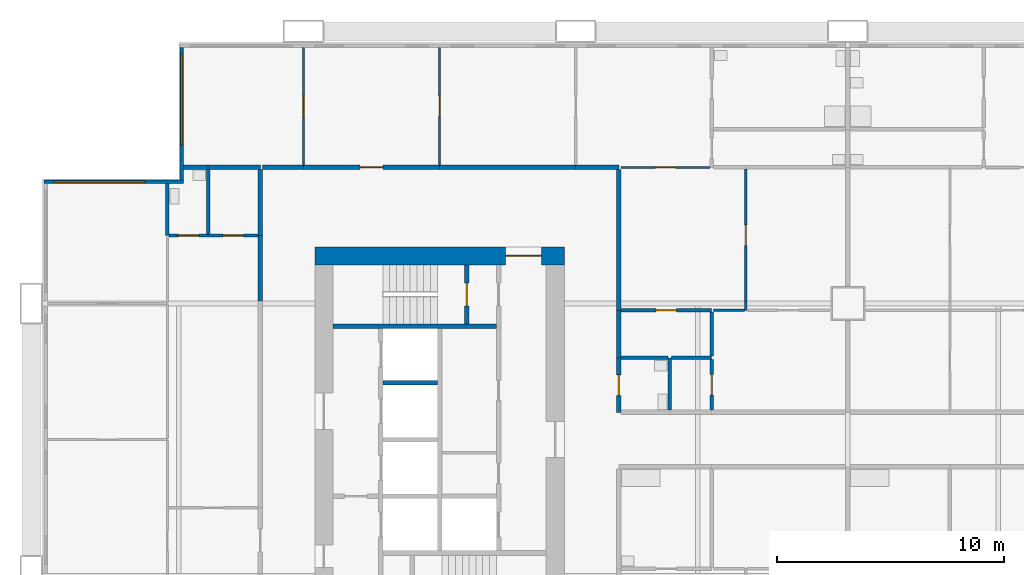
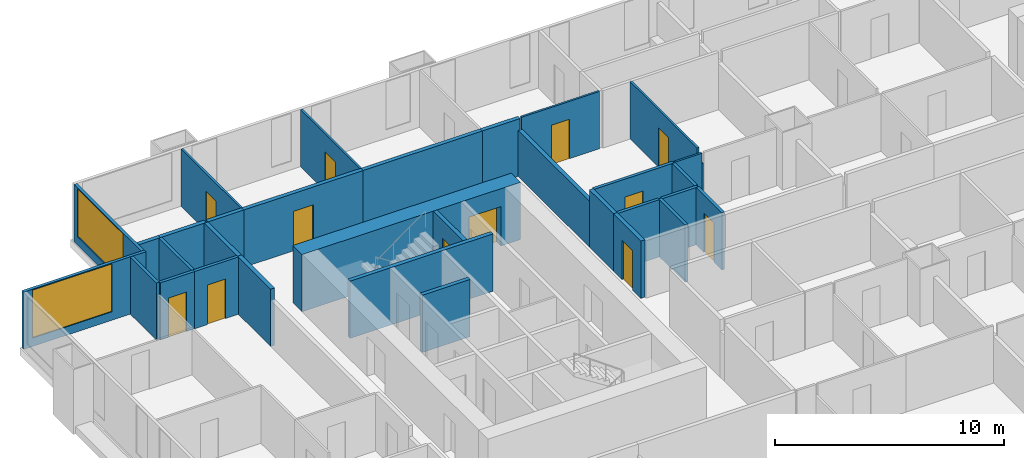
# One storey, part 8 of 14: 33 walls, 12 doors, 2 windows, 14 openings.
"""IFC4 building model written with IfcOpenShell, lengths in metres."""

from ifc_helpers import new_model, si_unit, direction, frame, frame_2d, origin, place, context, subcontext, project, spatial, rectangle, extrude, material, layer, layer_set, type_object, element, fill, save


model = new_model("IFC4")

# Units and contexts
model_context = context("Model", 3, precision=1e-05, world=origin(), true_north=direction((0.0, 1.0)))
body_context = subcontext(model_context, "Body", "Model", "MODEL_VIEW")
ifc_project = project(units=[si_unit("LENGTHUNIT", "METRE"), si_unit("AREAUNIT", "SQUARE_METRE"), si_unit("VOLUMEUNIT", "CUBIC_METRE"), si_unit("PLANEANGLEUNIT", "RADIAN"), si_unit("MASSUNIT", "GRAM", prefix="KILO")], contexts=[model_context])

# Site, building, storey
site_placement = place(None, origin())
site = spatial("IfcSite", under=ifc_project, at=site_placement, CompositionType="ELEMENT")
building_placement = place(site_placement, origin())
building = spatial("IfcBuilding", under=site, at=building_placement, Name="Kitamizu Gate Tower and Museum", CompositionType="ELEMENT")
storey_placement = place(building_placement, frame((0.0, 0.0, 33.449951171875)))
storey = spatial("IfcBuildingStorey", under=building, at=storey_placement, Name="L06", CompositionType="ELEMENT", Elevation=33.449951171875)

# Wall, opening, door
ifc_material_1 = material(Name="Concrete Fc60", Category="concrete")
ifc_layer_1 = layer(ifc_material_1, 0.800048828125)
ifc_layer_set_1 = layer_set([ifc_layer_1], Name="Concrete Fc60")
wall_type_1 = type_object("IfcWallType", Name="Core wall 800", PredefinedType="SHEAR", material=ifc_layer_set_1)
wall_1_placement = place(storey_placement, frame((12.5, 38.10009765625, 0.0), z_axis=(0.0, 0.0, 1.0), x_axis=(1.0, 0.0, 0.0)))
wall_1 = element("IfcWall", 1, at=wall_1_placement, inside=storey, type_object=wall_type_1, Name="Core wall WN", PredefinedType="SHEAR", context=body_context, shape_type="SweptSolid", body=[
    extrude(rectangle(XDim=11.0, YDim=0.800048828125, at=frame_2d((5.5, 0.0))), origin(), (0.0, 0.0, 1.0), 3.050048828125),
])
opening_1_placement = place(wall_1_placement, frame((8.39990234375, 0.0, 0.0)))
opening_1 = element("IfcOpeningElement", 2, at=opening_1_placement, cuts=wall_1, Name="Opening L06-085", PredefinedType="OPENING", context=body_context, shape_type="SweptSolid", body=[
    extrude(rectangle(XDim=1.60009765625, YDim=2.10009765625, at=frame_2d((0.800048828125, 1.050048828125))), frame((0.0, 0.41015625, 0.0), z_axis=(0.0, -1.0, 0.0), x_axis=(1.0, 0.0, 0.0)), (0.0, 0.0, 1.0), 0.820068359375),
])
ifc_material_2 = material(Name="Timber door set", Category="wood")
door_type_1 = type_object("IfcDoorType", Name="Entrance door 1600", OperationType="DOUBLE_DOOR_SINGLE_SWING", PredefinedType="DOOR", material=ifc_material_2)
door_1_placement = place(opening_1_placement, origin())
door_1 = element("IfcDoor", 3, at=door_1_placement, inside=storey, type_object=door_type_1, Name="Lobby door L06-085", OperationType="DOUBLE_DOOR_SINGLE_SWING", OverallHeight=2.10009765625, OverallWidth=1.60009765625, PredefinedType="DOOR", context=body_context, shape_type="SweptSolid", body=[
    extrude(rectangle(XDim=1.60009765625, YDim=2.10009765625, at=frame_2d((0.800048828125, 1.050048828125))), frame((0.0, 0.02490234375, 0.0), z_axis=(0.0, -1.0, 0.0), x_axis=(1.0, 0.0, 0.0)), (0.0, 0.0, 1.0), 0.050048828125),
])
fill(opening_1, door_1)

ifc_material_3 = material(Name="Gypsum board on galvanised stud")
ifc_layer_2 = layer(ifc_material_3, 0.10009765625)
ifc_layer_set_2 = layer_set([ifc_layer_2], Name="Gypsum board on galvanised stud")
wall_type_2 = type_object("IfcWallType", Name="Partition 100 NOT RATED", PredefinedType="PARTITIONING", material=ifc_layer_set_2)
wall_2_placement = place(storey_placement, frame((12.0, 42.10009765625, 0.0), z_axis=(0.0, 0.0, 1.0), x_axis=(0.0, 1.0, 0.0)))
wall_2 = element("IfcWall", 4, at=wall_2_placement, inside=storey, type_object=wall_type_2, Name="Partition L06-146", PredefinedType="PARTITIONING", context=body_context, shape_type="SweptSolid", body=[
    extrude(rectangle(XDim=5.179931640625, YDim=0.10009765625, at=frame_2d((2.58984375, 0.0))), origin(), (0.0, 0.0, 1.0), 3.050048828125),
])
opening_2_placement = place(wall_2_placement, frame((2.139892578125, 0.0, 0.0)))
opening_2 = element("IfcOpeningElement", 5, at=opening_2_placement, cuts=wall_2, Name="Opening L06-058", PredefinedType="OPENING", context=body_context, shape_type="SweptSolid", body=[
    extrude(rectangle(XDim=0.89990234375, YDim=2.10009765625, at=frame_2d((0.449951171875, 1.050048828125))), frame((0.0, 0.06005859375, 0.0), z_axis=(0.0, -1.0, 0.0), x_axis=(1.0, 0.0, 0.0)), (0.0, 0.0, 1.0), 0.1201171875),
])
ifc_material_4 = material(Name="Timber door set", Category="wood")
door_type_2 = type_object("IfcDoorType", Name="Room door 900", OperationType="NOTDEFINED", PredefinedType="DOOR", material=ifc_material_4)
door_2_placement = place(opening_2_placement, origin())
door_2 = element("IfcDoor", 6, at=door_2_placement, inside=storey, type_object=door_type_2, Name="Door L06-058", OperationType="SINGLE_SWING_RIGHT", OverallHeight=2.10009765625, OverallWidth=0.89990234375, PredefinedType="DOOR", context=body_context, shape_type="SweptSolid", body=[
    extrude(rectangle(XDim=0.89990234375, YDim=2.10009765625, at=frame_2d((0.449951171875, 1.050048828125))), frame((0.0, 0.02490234375, 0.0), z_axis=(0.0, -1.0, 0.0), x_axis=(1.0, 0.0, 0.0)), (0.0, 0.0, 1.0), 0.050048828125),
])
fill(opening_2, door_2)

wall_3_placement = place(storey_placement, frame((18.0, 42.10009765625, 0.0), z_axis=(0.0, 0.0, 1.0), x_axis=(0.0, 1.0, 0.0)))
wall_3 = element("IfcWall", 7, at=wall_3_placement, inside=storey, type_object=wall_type_2, Name="Partition L06-148", PredefinedType="PARTITIONING", context=body_context, shape_type="SweptSolid", body=[
    extrude(rectangle(XDim=5.179931640625, YDim=0.10009765625, at=frame_2d((2.58984375, 0.0))), origin(), (0.0, 0.0, 1.0), 3.050048828125),
])
opening_3_placement = place(wall_3_placement, frame((2.139892578125, 0.0, 0.0)))
opening_3 = element("IfcOpeningElement", 8, at=opening_3_placement, cuts=wall_3, Name="Opening L06-057", PredefinedType="OPENING", context=body_context, shape_type="SweptSolid", body=[
    extrude(rectangle(XDim=0.89990234375, YDim=2.10009765625, at=frame_2d((0.449951171875, 1.050048828125))), frame((0.0, 0.06005859375, 0.0), z_axis=(0.0, -1.0, 0.0), x_axis=(1.0, 0.0, 0.0)), (0.0, 0.0, 1.0), 0.1201171875),
])
door_3_placement = place(opening_3_placement, frame((0.89990234375, 0.0, 0.0), x_axis=(-1.0, 0.0, 0.0)))
door_3 = element("IfcDoor", 9, at=door_3_placement, inside=storey, type_object=door_type_2, Name="Door L06-057", OperationType="SINGLE_SWING_RIGHT", OverallHeight=2.10009765625, OverallWidth=0.89990234375, PredefinedType="DOOR", context=body_context, shape_type="SweptSolid", body=[
    extrude(rectangle(XDim=0.89990234375, YDim=2.10009765625, at=frame_2d((0.449951171875, 1.050048828125))), frame((0.0, 0.02490234375, 0.0), z_axis=(0.0, -1.0, 0.0), x_axis=(1.0, 0.0, 0.0)), (0.0, 0.0, 1.0), 0.050048828125),
])
fill(opening_3, door_3)

wall_4_placement = place(storey_placement, frame((26.0, 42.0, 0.0), z_axis=(0.0, 0.0, 1.0), x_axis=(1.0, 0.0, 0.0)))
wall_4 = element("IfcWall", 10, at=wall_4_placement, inside=storey, type_object=wall_type_2, Name="Partition L06-154", PredefinedType="PARTITIONING", context=body_context, shape_type="SweptSolid", body=[
    extrude(rectangle(XDim=3.925048828125, YDim=0.10009765625, at=frame_2d((1.96240234375, 0.0))), origin(), (0.0, 0.0, 1.0), 3.050048828125),
])
opening_4_placement = place(wall_4_placement, frame((1.512451171875, 0.0, 0.0)))
opening_4 = element("IfcOpeningElement", 11, at=opening_4_placement, cuts=wall_4, Name="Opening L06-062", PredefinedType="OPENING", context=body_context, shape_type="SweptSolid", body=[
    extrude(rectangle(XDim=0.89990234375, YDim=2.10009765625, at=frame_2d((0.449951171875, 1.050048828125))), frame((0.0, 0.06005859375, 0.0), z_axis=(0.0, -1.0, 0.0), x_axis=(1.0, 0.0, 0.0)), (0.0, 0.0, 1.0), 0.1201171875),
])
door_4_placement = place(opening_4_placement, origin())
door_4 = element("IfcDoor", 12, at=door_4_placement, inside=storey, type_object=door_type_2, Name="Door L06-062", OperationType="SINGLE_SWING_RIGHT", OverallHeight=2.10009765625, OverallWidth=0.89990234375, PredefinedType="DOOR", context=body_context, shape_type="SweptSolid", body=[
    extrude(rectangle(XDim=0.89990234375, YDim=2.10009765625, at=frame_2d((0.449951171875, 1.050048828125))), frame((0.0, 0.02490234375, 0.0), z_axis=(0.0, -1.0, 0.0), x_axis=(1.0, 0.0, 0.0)), (0.0, 0.0, 1.0), 0.050048828125),
])
fill(opening_4, door_4)

# Wall
wall_5_placement = place(storey_placement, frame((31.5, 35.699951171875, 0.0), z_axis=(0.0, 0.0, 1.0), x_axis=(0.0, 1.0, 0.0)))
element("IfcWall", 13, at=wall_5_placement, inside=storey, type_object=wall_type_2, Name="Partition L06-161", PredefinedType="PARTITIONING", context=body_context, shape_type="SweptSolid", body=[
    extrude(rectangle(XDim=0.400146484375, YDim=0.10009765625, at=frame_2d((0.2001953125, 0.0))), origin(), (0.0, 0.0, 1.0), 2.449951171875),
])

# Wall, opening, door
wall_6_placement = place(storey_placement, frame((31.5, 36.10009765625, 0.0), z_axis=(0.0, 0.0, 1.0), x_axis=(0.0, 1.0, 0.0)))
wall_6 = element("IfcWall", 14, at=wall_6_placement, inside=storey, type_object=wall_type_2, Name="Partition L06-162", PredefinedType="PARTITIONING", context=body_context, shape_type="SweptSolid", body=[
    extrude(rectangle(XDim=5.824951171875, YDim=0.10009765625, at=frame_2d((2.91259765625, 0.0))), origin(), (0.0, 0.0, 1.0), 3.050048828125),
])
opening_5_placement = place(wall_6_placement, frame((2.46240234375, 0.0, 0.0)))
opening_5 = element("IfcOpeningElement", 15, at=opening_5_placement, cuts=wall_6, Name="Opening L06-063", PredefinedType="OPENING", context=body_context, shape_type="SweptSolid", body=[
    extrude(rectangle(XDim=0.89990234375, YDim=2.10009765625, at=frame_2d((0.449951171875, 1.050048828125))), frame((0.0, 0.06005859375, 0.0), z_axis=(0.0, -1.0, 0.0), x_axis=(1.0, 0.0, 0.0)), (0.0, 0.0, 1.0), 0.1201171875),
])
door_5_placement = place(opening_5_placement, frame((0.89990234375, 0.0, 0.0), x_axis=(-1.0, 0.0, 0.0)))
door_5 = element("IfcDoor", 16, at=door_5_placement, inside=storey, type_object=door_type_2, Name="Door L06-063", OperationType="SINGLE_SWING_RIGHT", OverallHeight=2.10009765625, OverallWidth=0.89990234375, PredefinedType="DOOR", context=body_context, shape_type="SweptSolid", body=[
    extrude(rectangle(XDim=0.89990234375, YDim=2.10009765625, at=frame_2d((0.449951171875, 1.050048828125))), frame((0.0, 0.02490234375, 0.0), z_axis=(0.0, -1.0, 0.0), x_axis=(1.0, 0.0, 0.0)), (0.0, 0.0, 1.0), 0.050048828125),
])
fill(opening_5, door_5)

# Walls
wall_7_placement = place(storey_placement, frame((30.074951171875, 35.699951171875, 0.0), z_axis=(0.0, 0.0, 1.0), x_axis=(1.0, 0.0, 0.0)))
element("IfcWall", 17, at=wall_7_placement, inside=storey, type_object=wall_type_2, Name="Partition L06-164", PredefinedType="PARTITIONING", context=body_context, shape_type="SweptSolid", body=[
    extrude(rectangle(XDim=1.375, YDim=0.10009765625, at=frame_2d((0.6875, 0.0))), origin(), (0.0, 0.0, 1.0), 3.050048828125),
])
ifc_material_5 = material(Name="Gypsum board on galvanised stud")
ifc_layer_3 = layer(ifc_material_5, 0.14990234375)
ifc_layer_set_3 = layer_set([ifc_layer_3], Name="Gypsum board on galvanised stud")
wall_type_3 = type_object("IfcWallType", Name="Partition 150", PredefinedType="PARTITIONING", material=ifc_layer_set_3)
wall_8_placement = place(storey_placement, frame((6.0, 39.0, 0.0), z_axis=(0.0, 0.0, 1.0), x_axis=(0.0, 1.0, 0.0)))
element("IfcWall", 18, at=wall_8_placement, inside=storey, type_object=wall_type_3, Name="Partition L06-059", PredefinedType="PARTITIONING", context=body_context, shape_type="SweptSolid", body=[
    extrude(rectangle(XDim=2.280029296875, YDim=0.14990234375, at=frame_2d((1.14013671875, 0.0))), origin(), (0.0, 0.0, 1.0), 3.050048828125),
])

# Wall, opening, door
wall_9_placement = place(storey_placement, frame((7.800048828125, 39.0, 0.0), z_axis=(0.0, 0.0, 1.0), x_axis=(-1.0, 0.0, 0.0)))
wall_9 = element("IfcWall", 19, at=wall_9_placement, inside=storey, type_object=wall_type_3, Name="Partition L06-065", PredefinedType="PARTITIONING", context=body_context, shape_type="SweptSolid", body=[
    extrude(rectangle(XDim=1.72509765625, YDim=0.14990234375, at=frame_2d((0.862548828125, 0.0))), origin(), (0.0, 0.0, 1.0), 3.050048828125),
])
opening_6_placement = place(wall_9_placement, frame((0.41259765625, 0.0, 0.0)))
opening_6 = element("IfcOpeningElement", 20, at=opening_6_placement, cuts=wall_9, Name="Opening L06-025", PredefinedType="OPENING", context=body_context, shape_type="SweptSolid", body=[
    extrude(rectangle(XDim=0.89990234375, YDim=2.10009765625, at=frame_2d((0.449951171875, 1.050048828125))), frame((0.0, 0.0849609375, 0.0), z_axis=(0.0, -1.0, 0.0), x_axis=(1.0, 0.0, 0.0)), (0.0, 0.0, 1.0), 0.169921875),
])
ifc_material_6 = material(Name="Timber door set", Category="wood")
door_type_3 = type_object("IfcDoorType", Name="Bathroom door 900", OperationType="NOTDEFINED", PredefinedType="DOOR", material=ifc_material_6)
door_6_placement = place(opening_6_placement, frame((0.89990234375, 0.0, 0.0), x_axis=(-1.0, 0.0, 0.0)))
door_6 = element("IfcDoor", 21, at=door_6_placement, inside=storey, type_object=door_type_3, Name="Bathroom door L06-025", OperationType="SINGLE_SWING_LEFT", OverallHeight=2.10009765625, OverallWidth=0.89990234375, PredefinedType="DOOR", context=body_context, shape_type="SweptSolid", body=[
    extrude(rectangle(XDim=0.89990234375, YDim=2.10009765625, at=frame_2d((0.449951171875, 1.050048828125))), frame((0.0, 0.02490234375, 0.0), z_axis=(0.0, -1.0, 0.0), x_axis=(1.0, 0.0, 0.0)), (0.0, 0.0, 1.0), 0.050048828125),
])
fill(opening_6, door_6)

wall_10_placement = place(storey_placement, frame((10.0, 39.0, 0.0), z_axis=(0.0, 0.0, 1.0), x_axis=(-1.0, 0.0, 0.0)))
wall_10 = element("IfcWall", 22, at=wall_10_placement, inside=storey, type_object=wall_type_3, Name="Partition L06-066", PredefinedType="PARTITIONING", context=body_context, shape_type="SweptSolid", body=[
    extrude(rectangle(XDim=2.199951171875, YDim=0.14990234375, at=frame_2d((1.10009765625, 0.0))), origin(), (0.0, 0.0, 1.0), 3.050048828125),
])
opening_7_placement = place(wall_10_placement, frame((0.64990234375, 0.0, 0.0)))
opening_7 = element("IfcOpeningElement", 23, at=opening_7_placement, cuts=wall_10, Name="Opening L06-026", PredefinedType="OPENING", context=body_context, shape_type="SweptSolid", body=[
    extrude(rectangle(XDim=0.89990234375, YDim=2.10009765625, at=frame_2d((0.449951171875, 1.050048828125))), frame((0.0, 0.0849609375, 0.0), z_axis=(0.0, -1.0, 0.0), x_axis=(1.0, 0.0, 0.0)), (0.0, 0.0, 1.0), 0.169921875),
])
door_7_placement = place(opening_7_placement, frame((0.89990234375, 0.0, 0.0), x_axis=(-1.0, 0.0, 0.0)))
door_7 = element("IfcDoor", 24, at=door_7_placement, inside=storey, type_object=door_type_3, Name="Bathroom door L06-026", OperationType="SINGLE_SWING_RIGHT", OverallHeight=2.10009765625, OverallWidth=0.89990234375, PredefinedType="DOOR", context=body_context, shape_type="SweptSolid", body=[
    extrude(rectangle(XDim=0.89990234375, YDim=2.10009765625, at=frame_2d((0.449951171875, 1.050048828125))), frame((0.0, 0.02490234375, 0.0), z_axis=(0.0, -1.0, 0.0), x_axis=(1.0, 0.0, 0.0)), (0.0, 0.0, 1.0), 0.050048828125),
])
fill(opening_7, door_7)

# Wall
wall_11_placement = place(storey_placement, frame((7.800048828125, 39.074951171875, 0.0), z_axis=(0.0, 0.0, 1.0), x_axis=(0.0, 1.0, 0.0)))
element("IfcWall", 25, at=wall_11_placement, inside=storey, type_object=wall_type_3, Name="Partition L06-069", PredefinedType="PARTITIONING", context=body_context, shape_type="SweptSolid", body=[
    extrude(rectangle(XDim=2.824951171875, YDim=0.14990234375, at=frame_2d((1.41259765625, 0.0))), origin(), (0.0, 0.0, 1.0), 3.050048828125),
])

# Wall, opening, door
wall_12_placement = place(storey_placement, frame((26.0, 35.699951171875, 0.0), z_axis=(0.0, 0.0, 1.0), x_axis=(1.0, 0.0, 0.0)))
wall_12 = element("IfcWall", 26, at=wall_12_placement, inside=storey, type_object=wall_type_3, Name="Partition L06-163", PredefinedType="PARTITIONING", context=body_context, shape_type="SweptSolid", body=[
    extrude(rectangle(XDim=4.0, YDim=0.14990234375, at=frame_2d((2.0, 0.0))), origin(), (0.0, 0.0, 1.0), 3.050048828125),
])
opening_8_placement = place(wall_12_placement, frame((1.550048828125, 0.0, 0.0)))
opening_8 = element("IfcOpeningElement", 27, at=opening_8_placement, cuts=wall_12, Name="Opening L06-064", PredefinedType="OPENING", context=body_context, shape_type="SweptSolid", body=[
    extrude(rectangle(XDim=0.89990234375, YDim=2.10009765625, at=frame_2d((0.449951171875, 1.050048828125))), frame((0.0, 0.0849609375, 0.0), z_axis=(0.0, -1.0, 0.0), x_axis=(1.0, 0.0, 0.0)), (0.0, 0.0, 1.0), 0.169921875),
])
door_8_placement = place(opening_8_placement, frame((0.89990234375, 0.0, 0.0), x_axis=(-1.0, 0.0, 0.0)))
door_8 = element("IfcDoor", 28, at=door_8_placement, inside=storey, type_object=door_type_3, Name="Bathroom door L06-064", OperationType="SINGLE_SWING_LEFT", OverallHeight=2.10009765625, OverallWidth=0.89990234375, PredefinedType="DOOR", context=body_context, shape_type="SweptSolid", body=[
    extrude(rectangle(XDim=0.89990234375, YDim=2.10009765625, at=frame_2d((0.449951171875, 1.050048828125))), frame((0.0, 0.02490234375, 0.0), z_axis=(0.0, -1.0, 0.0), x_axis=(1.0, 0.0, 0.0)), (0.0, 0.0, 1.0), 0.050048828125),
])
fill(opening_8, door_8)

# Walls
wall_13_placement = place(storey_placement, frame((28.14990234375, 31.300048828125, 0.0), z_axis=(0.0, 0.0, 1.0), x_axis=(0.0, 1.0, 0.0)))
element("IfcWall", 29, at=wall_13_placement, inside=storey, type_object=wall_type_3, Name="Partition L06-168", PredefinedType="PARTITIONING", context=body_context, shape_type="SweptSolid", body=[
    extrude(rectangle(XDim=2.300048828125, YDim=0.14990234375, at=frame_2d((1.14990234375, 0.0))), origin(), (0.0, 0.0, 1.0), 3.050048828125),
])
wall_14_placement = place(storey_placement, frame((28.074951171875, 33.60009765625, 0.0), z_axis=(0.0, 0.0, 1.0), x_axis=(-1.0, 0.0, 0.0)))
element("IfcWall", 30, at=wall_14_placement, inside=storey, type_object=wall_type_3, Name="Partition L06-169", PredefinedType="PARTITIONING", context=body_context, shape_type="SweptSolid", body=[
    extrude(rectangle(XDim=2.074951171875, YDim=0.14990234375, at=frame_2d((1.03759765625, 0.0))), origin(), (0.0, 0.0, 1.0), 3.050048828125),
])
wall_15_placement = place(storey_placement, frame((30.0, 33.60009765625, 0.0), z_axis=(0.0, 0.0, 1.0), x_axis=(-1.0, 0.0, 0.0)))
element("IfcWall", 31, at=wall_15_placement, inside=storey, type_object=wall_type_3, Name="Partition L06-172", PredefinedType="PARTITIONING", context=body_context, shape_type="SweptSolid", body=[
    extrude(rectangle(XDim=1.77490234375, YDim=0.14990234375, at=frame_2d((0.887451171875, 0.0))), origin(), (0.0, 0.0, 1.0), 3.050048828125),
])

# Wall, opening, door
wall_16_placement = place(storey_placement, frame((30.0, 31.300048828125, 0.0), z_axis=(0.0, 0.0, 1.0), x_axis=(0.0, 1.0, 0.0)))
wall_16 = element("IfcWall", 32, at=wall_16_placement, inside=storey, type_object=wall_type_3, Name="Partition L06-173", PredefinedType="PARTITIONING", context=body_context, shape_type="SweptSolid", body=[
    extrude(rectangle(XDim=2.224853515625, YDim=0.14990234375, at=frame_2d((1.1123046875, 0.0))), origin(), (0.0, 0.0, 1.0), 3.050048828125),
])
opening_9_placement = place(wall_16_placement, frame((0.66259765625, 0.0, 0.0)))
opening_9 = element("IfcOpeningElement", 33, at=opening_9_placement, cuts=wall_16, Name="Opening L06-066", PredefinedType="OPENING", context=body_context, shape_type="SweptSolid", body=[
    extrude(rectangle(XDim=0.89990234375, YDim=2.10009765625, at=frame_2d((0.449951171875, 1.050048828125))), frame((0.0, 0.0849609375, 0.0), z_axis=(0.0, -1.0, 0.0), x_axis=(1.0, 0.0, 0.0)), (0.0, 0.0, 1.0), 0.169921875),
])
door_9_placement = place(opening_9_placement, origin())
door_9 = element("IfcDoor", 34, at=door_9_placement, inside=storey, type_object=door_type_3, Name="Bathroom door L06-066", OperationType="SINGLE_SWING_LEFT", OverallHeight=2.10009765625, OverallWidth=0.89990234375, PredefinedType="DOOR", context=body_context, shape_type="SweptSolid", body=[
    extrude(rectangle(XDim=0.89990234375, YDim=2.10009765625, at=frame_2d((0.449951171875, 1.050048828125))), frame((0.0, 0.02490234375, 0.0), z_axis=(0.0, -1.0, 0.0), x_axis=(1.0, 0.0, 0.0)), (0.0, 0.0, 1.0), 0.050048828125),
])
fill(opening_9, door_9)

# Walls
wall_17_placement = place(storey_placement, frame((30.0, 33.675048828125, 0.0), z_axis=(0.0, 0.0, 1.0), x_axis=(0.0, 1.0, 0.0)))
element("IfcWall", 35, at=wall_17_placement, inside=storey, type_object=wall_type_3, Name="Partition L06-175", PredefinedType="PARTITIONING", context=body_context, shape_type="SweptSolid", body=[
    extrude(rectangle(XDim=1.949951171875, YDim=0.14990234375, at=frame_2d((0.97509765625, 0.0))), origin(), (0.0, 0.0, 1.0), 3.050048828125),
])
ifc_material_7 = material(Name="Gypsum board on galvanised stud")
ifc_layer_4 = layer(ifc_material_7, 0.199951171875)
ifc_layer_set_4 = layer_set([ifc_layer_4], Name="Gypsum board on galvanised stud")
wall_type_4 = type_object("IfcWallType", Name="Partition 200", PredefinedType="PARTITIONING", material=ifc_layer_set_4)
wall_18_placement = place(storey_placement, frame((10.10009765625, 36.10009765625, 0.0), z_axis=(0.0, 0.0, 1.0), x_axis=(0.0, 1.0, 0.0)))
element("IfcWall", 36, at=wall_18_placement, inside=storey, type_object=wall_type_4, Name="Partition L06-068", PredefinedType="PARTITIONING", context=body_context, shape_type="SweptSolid", body=[
    extrude(rectangle(XDim=2.89990234375, YDim=0.199951171875, at=frame_2d((1.449951171875, 0.0))), origin(), (0.0, 0.0, 1.0), 3.050048828125),
])
wall_19_placement = place(storey_placement, frame((7.800048828125, 42.0, 0.0), z_axis=(0.0, 0.0, 1.0), x_axis=(-1.0, 0.0, 0.0)))
element("IfcWall", 37, at=wall_19_placement, inside=storey, type_object=wall_type_4, Name="Partition L06-070", PredefinedType="PARTITIONING", context=body_context, shape_type="SweptSolid", body=[
    extrude(rectangle(XDim=1.080078125, YDim=0.199951171875, at=frame_2d((0.5400390625, 0.0))), origin(), (0.0, 0.0, 1.0), 3.050048828125),
])
wall_20_placement = place(storey_placement, frame((10.10009765625, 42.0, 0.0), z_axis=(0.0, 0.0, 1.0), x_axis=(-1.0, 0.0, 0.0)))
element("IfcWall", 38, at=wall_20_placement, inside=storey, type_object=wall_type_4, Name="Partition L06-071", PredefinedType="PARTITIONING", context=body_context, shape_type="SweptSolid", body=[
    extrude(rectangle(XDim=2.300048828125, YDim=0.199951171875, at=frame_2d((1.14990234375, 0.0))), origin(), (0.0, 0.0, 1.0), 3.050048828125),
])
wall_21_placement = place(storey_placement, frame((10.10009765625, 39.0, 0.0), z_axis=(0.0, 0.0, 1.0), x_axis=(0.0, 1.0, 0.0)))
element("IfcWall", 39, at=wall_21_placement, inside=storey, type_object=wall_type_4, Name="Partition L06-072", PredefinedType="PARTITIONING", context=body_context, shape_type="SweptSolid", body=[
    extrude(rectangle(XDim=2.89990234375, YDim=0.199951171875, at=frame_2d((1.449951171875, 0.0))), origin(), (0.0, 0.0, 1.0), 3.050048828125),
])
wall_22_placement = place(storey_placement, frame((10.199951171875, 42.0, 0.0), z_axis=(0.0, 0.0, 1.0), x_axis=(1.0, 0.0, 0.0)))
element("IfcWall", 40, at=wall_22_placement, inside=storey, type_object=wall_type_4, Name="Partition L06-147", PredefinedType="PARTITIONING", context=body_context, shape_type="SweptSolid", body=[
    extrude(rectangle(XDim=1.800048828125, YDim=0.199951171875, at=frame_2d((0.89990234375, 0.0))), origin(), (0.0, 0.0, 1.0), 3.050048828125),
])

# Wall, opening, door
wall_23_placement = place(storey_placement, frame((12.0, 42.0, 0.0), z_axis=(0.0, 0.0, 1.0), x_axis=(1.0, 0.0, 0.0)))
wall_23 = element("IfcWall", 41, at=wall_23_placement, inside=storey, type_object=wall_type_4, Name="Partition L06-149", PredefinedType="PARTITIONING", context=body_context, shape_type="SweptSolid", body=[
    extrude(rectangle(XDim=6.0, YDim=0.199951171875, at=frame_2d((3.0, 0.0))), origin(), (0.0, 0.0, 1.0), 3.050048828125),
])
opening_10_placement = place(wall_23_placement, frame((2.5, 0.0, 0.0)))
opening_10 = element("IfcOpeningElement", 42, at=opening_10_placement, cuts=wall_23, Name="Opening L06-056", PredefinedType="OPENING", context=body_context, shape_type="SweptSolid", body=[
    extrude(rectangle(XDim=1.0, YDim=2.10009765625, at=frame_2d((0.5, 1.050048828125))), frame((0.0, 0.10986328125, 0.0), z_axis=(0.0, -1.0, 0.0), x_axis=(1.0, 0.0, 0.0)), (0.0, 0.0, 1.0), 0.219970703125),
])
ifc_material_8 = material(Name="Timber door set", Category="wood")
door_type_4 = type_object("IfcDoorType", Name="Flat entrance door 1000", OperationType="NOTDEFINED", PredefinedType="DOOR", material=ifc_material_8)
door_10_placement = place(opening_10_placement, origin())
door_10 = element("IfcDoor", 43, at=door_10_placement, inside=storey, type_object=door_type_4, Name="Flat entrance door L06-056", OperationType="SINGLE_SWING_RIGHT", OverallHeight=2.10009765625, OverallWidth=1.0, PredefinedType="DOOR", context=body_context, shape_type="SweptSolid", body=[
    extrude(rectangle(XDim=1.0, YDim=2.10009765625, at=frame_2d((0.5, 1.050048828125))), frame((0.0, 0.02490234375, 0.0), z_axis=(0.0, -1.0, 0.0), x_axis=(1.0, 0.0, 0.0)), (0.0, 0.0, 1.0), 0.050048828125),
])
fill(opening_10, door_10)

# Walls
wall_24_placement = place(storey_placement, frame((18.0, 42.0, 0.0), z_axis=(0.0, 0.0, 1.0), x_axis=(1.0, 0.0, 0.0)))
element("IfcWall", 44, at=wall_24_placement, inside=storey, type_object=wall_type_4, Name="Partition L06-151", PredefinedType="PARTITIONING", context=body_context, shape_type="SweptSolid", body=[
    extrude(rectangle(XDim=6.0, YDim=0.199951171875, at=frame_2d((3.0, 0.0))), origin(), (0.0, 0.0, 1.0), 3.050048828125),
])
wall_25_placement = place(storey_placement, frame((24.0, 42.0, 0.0), z_axis=(0.0, 0.0, 1.0), x_axis=(1.0, 0.0, 0.0)))
element("IfcWall", 45, at=wall_25_placement, inside=storey, type_object=wall_type_4, Name="Partition L06-155", PredefinedType="PARTITIONING", context=body_context, shape_type="SweptSolid", body=[
    extrude(rectangle(XDim=1.89990234375, YDim=0.199951171875, at=frame_2d((0.949951171875, 0.0))), origin(), (0.0, 0.0, 1.0), 3.050048828125),
])
wall_26_placement = place(storey_placement, frame((25.89990234375, 41.89990234375, 0.0), z_axis=(0.0, 0.0, 1.0), x_axis=(0.0, -1.0, 0.0)))
element("IfcWall", 46, at=wall_26_placement, inside=storey, type_object=wall_type_4, Name="Partition L06-165", PredefinedType="PARTITIONING", context=body_context, shape_type="SweptSolid", body=[
    extrude(rectangle(XDim=6.199951171875, YDim=0.199951171875, at=frame_2d((3.10009765625, 0.0))), origin(), (0.0, 0.0, 1.0), 2.449951171875),
])

# Wall, opening, door
wall_27_placement = place(storey_placement, frame((25.89990234375, 33.60009765625, 0.0), z_axis=(0.0, 0.0, 1.0), x_axis=(0.0, -1.0, 0.0)))
wall_27 = element("IfcWall", 47, at=wall_27_placement, inside=storey, type_object=wall_type_4, Name="Partition L06-170", PredefinedType="PARTITIONING", context=body_context, shape_type="SweptSolid", body=[
    extrude(rectangle(XDim=2.400146484375, YDim=0.199951171875, at=frame_2d((1.2001953125, 0.0))), origin(), (0.0, 0.0, 1.0), 3.050048828125),
])
opening_11_placement = place(wall_27_placement, frame((0.75, 0.0, 0.0)))
opening_11 = element("IfcOpeningElement", 48, at=opening_11_placement, cuts=wall_27, Name="Opening L06-067", PredefinedType="OPENING", context=body_context, shape_type="SweptSolid", body=[
    extrude(rectangle(XDim=0.89990234375, YDim=2.10009765625, at=frame_2d((0.449951171875, 1.050048828125))), frame((0.0, 0.10986328125, 0.0), z_axis=(0.0, -1.0, 0.0), x_axis=(1.0, 0.0, 0.0)), (0.0, 0.0, 1.0), 0.219970703125),
])
ifc_material_9 = material(Name="Timber door set", Category="wood")
door_type_5 = type_object("IfcDoorType", Name="Store door 900", OperationType="NOTDEFINED", PredefinedType="DOOR", material=ifc_material_9)
door_11_placement = place(opening_11_placement, origin())
door_11 = element("IfcDoor", 49, at=door_11_placement, inside=storey, type_object=door_type_5, Name="Service entrance door L06-067", OperationType="SINGLE_SWING_RIGHT", OverallHeight=2.10009765625, OverallWidth=0.89990234375, PredefinedType="DOOR", context=body_context, shape_type="SweptSolid", body=[
    extrude(rectangle(XDim=0.89990234375, YDim=2.10009765625, at=frame_2d((0.449951171875, 1.050048828125))), frame((0.0, 0.02490234375, 0.0), z_axis=(0.0, -1.0, 0.0), x_axis=(1.0, 0.0, 0.0)), (0.0, 0.0, 1.0), 0.050048828125),
])
fill(opening_11, door_11)

# Walls
wall_28_placement = place(storey_placement, frame((25.89990234375, 35.699951171875, 0.0), z_axis=(0.0, 0.0, 1.0), x_axis=(0.0, -1.0, 0.0)))
element("IfcWall", 50, at=wall_28_placement, inside=storey, type_object=wall_type_4, Name="Partition L06-176", PredefinedType="PARTITIONING", context=body_context, shape_type="SweptSolid", body=[
    extrude(rectangle(XDim=2.099853515625, YDim=0.199951171875, at=frame_2d((1.0498046875, 0.0))), origin(), (0.0, 0.0, 1.0), 3.050048828125),
])
ifc_material_10 = material(Name="Concrete Fc42", Category="concrete")
ifc_layer_5 = layer(ifc_material_10, 0.199951171875)
ifc_layer_set_5 = layer_set([ifc_layer_5], Name="Concrete Fc42")
wall_type_5 = type_object("IfcWallType", Name="Shaft wall 200", PredefinedType="SOLIDWALL", material=ifc_layer_set_5)
wall_29_placement = place(storey_placement, frame((13.300048828125, 35.0, 0.0), z_axis=(0.0, 0.0, 1.0), x_axis=(1.0, 0.0, 0.0)))
element("IfcWall", 51, at=wall_29_placement, inside=storey, type_object=wall_type_5, Name="Shaft wall WNB", PredefinedType="SOLIDWALL", context=body_context, shape_type="SweptSolid", body=[
    extrude(rectangle(XDim=7.199951171875, YDim=0.199951171875, at=frame_2d((3.60009765625, 0.0))), origin(), (0.0, 0.0, 1.0), 3.050048828125),
])

# Wall, opening, door
wall_30_placement = place(storey_placement, frame((19.199951171875, 35.10009765625, 0.0), z_axis=(0.0, 0.0, 1.0), x_axis=(0.0, 1.0, 0.0)))
wall_30 = element("IfcWall", 52, at=wall_30_placement, inside=storey, type_object=wall_type_5, Name="Shaft wall WNZ", PredefinedType="SOLIDWALL", context=body_context, shape_type="SweptSolid", body=[
    extrude(rectangle(XDim=2.599853515625, YDim=0.199951171875, at=frame_2d((1.2998046875, 0.0))), origin(), (0.0, 0.0, 1.0), 3.050048828125),
])
opening_12_placement = place(wall_30_placement, frame((0.800048828125, 0.0, 0.0)))
opening_12 = element("IfcOpeningElement", 53, at=opening_12_placement, cuts=wall_30, Name="Opening L06-081", PredefinedType="OPENING", context=body_context, shape_type="SweptSolid", body=[
    extrude(rectangle(XDim=1.0, YDim=2.10009765625, at=frame_2d((0.5, 1.050048828125))), frame((0.0, 0.10986328125, 0.0), z_axis=(0.0, -1.0, 0.0), x_axis=(1.0, 0.0, 0.0)), (0.0, 0.0, 1.0), 0.219970703125),
])
ifc_material_11 = material(Name="Hollow metal door set")
door_type_6 = type_object("IfcDoorType", Name="Fire door 1000", OperationType="NOTDEFINED", PredefinedType="DOOR", material=ifc_material_11)
door_12_placement = place(opening_12_placement, origin())
door_12 = element("IfcDoor", 54, at=door_12_placement, inside=storey, type_object=door_type_6, Name="Stair door L06-081", OperationType="SINGLE_SWING_RIGHT", OverallHeight=2.10009765625, OverallWidth=1.0, PredefinedType="DOOR", context=body_context, shape_type="SweptSolid", body=[
    extrude(rectangle(XDim=1.0, YDim=2.10009765625, at=frame_2d((0.5, 1.050048828125))), frame((0.0, 0.02490234375, 0.0), z_axis=(0.0, -1.0, 0.0), x_axis=(1.0, 0.0, 0.0)), (0.0, 0.0, 1.0), 0.050048828125),
])
fill(opening_12, door_12)

# Wall
wall_31_placement = place(storey_placement, frame((15.5, 32.5, 0.0), z_axis=(0.0, 0.0, 1.0), x_axis=(1.0, 0.0, 0.0)))
element("IfcWall", 55, at=wall_31_placement, inside=storey, type_object=wall_type_5, Name="Shaft wall WDVW2", PredefinedType="SOLIDWALL", context=body_context, shape_type="SweptSolid", body=[
    extrude(rectangle(XDim=2.39990234375, YDim=0.199951171875, at=frame_2d((1.199951171875, 0.0))), origin(), (0.0, 0.0, 1.0), 3.050048828125),
])

# Wall, opening, window
ifc_material_12 = material(Name="Bronze anodised aluminium frame with insulated spandrel and tinted glass", Category="aluminium")
ifc_layer_6 = layer(ifc_material_12, 0.14990234375)
ifc_layer_set_6 = layer_set([ifc_layer_6], Name="Bronze anodised aluminium frame with insulated spandrel and tinted glass")
wall_type_6 = type_object("IfcWallType", Name="WINDOW WALL 150 BRONZE FRAME EI 30", PredefinedType="ELEMENTEDWALL", material=ifc_layer_set_6)
wall_32_placement = place(storey_placement, frame((6.635009765625, 41.43994140625, 0.0), z_axis=(0.0, 0.0, 1.0), x_axis=(0.0, 1.0, 0.0)))
wall_32 = element("IfcWall", 56, at=wall_32_placement, inside=storey, type_object=wall_type_6, Name="Window wall west L06", PredefinedType="ELEMENTEDWALL", context=body_context, shape_type="SweptSolid", body=[
    extrude(rectangle(XDim=5.85009765625, YDim=0.14990234375, at=frame_2d((2.925048828125, 0.0))), origin(), (0.0, 0.0, 1.0), 3.050048828125),
])
opening_13_placement = place(wall_32_placement, frame((1.56005859375, 0.0, 0.449951171875)))
opening_13 = element("IfcOpeningElement", 57, at=opening_13_placement, cuts=wall_32, Name="Opening W16", PredefinedType="OPENING", context=body_context, shape_type="SweptSolid", body=[
    extrude(rectangle(XDim=4.0, YDim=2.550048828125, at=frame_2d((2.0, 1.27490234375))), frame((0.0, 0.0849609375, 0.0), z_axis=(0.0, -1.0, 0.0), x_axis=(1.0, 0.0, 0.0)), (0.0, 0.0, 1.0), 0.169921875),
])
ifc_material_13 = material(Name="Bronze anodised aluminium frame, tinted triple glazing", Category="aluminium")
window_type = type_object("IfcWindowType", Name="WINDOW 4000 x 2550 SILL 450", PartitioningType="SINGLE_PANEL", PredefinedType="WINDOW", material=ifc_material_13)
window_1_placement = place(opening_13_placement, origin())
window_1 = element("IfcWindow", 58, at=window_1_placement, inside=storey, type_object=window_type, Name="Window W16 L06", OverallHeight=2.550048828125, OverallWidth=4.0, PartitioningType="SINGLE_PANEL", PredefinedType="WINDOW", context=body_context, shape_type="SweptSolid", body=[
    extrude(rectangle(XDim=4.0, YDim=2.550048828125, at=frame_2d((2.0, 1.27490234375))), frame((0.0, 0.030029296875, 0.0), z_axis=(0.0, -1.0, 0.0), x_axis=(1.0, 0.0, 0.0)), (0.0, 0.0, 1.0), 0.06005859375),
])
fill(opening_13, window_1)

wall_33_placement = place(storey_placement, frame((0.56005859375, 41.364990234375, 0.0), z_axis=(0.0, 0.0, 1.0), x_axis=(1.0, 0.0, 0.0)))
wall_33 = element("IfcWall", 59, at=wall_33_placement, inside=storey, type_object=wall_type_6, Name="Window wall north L06", PredefinedType="ELEMENTEDWALL", context=body_context, shape_type="SweptSolid", body=[
    extrude(rectangle(XDim=6.14990234375, YDim=0.14990234375, at=frame_2d((3.074951171875, 0.0))), origin(), (0.0, 0.0, 1.0), 3.050048828125),
])
opening_14_placement = place(wall_33_placement, frame((0.43994140625, 0.0, 0.449951171875)))
opening_14 = element("IfcOpeningElement", 60, at=opening_14_placement, cuts=wall_33, Name="Opening W16", PredefinedType="OPENING", context=body_context, shape_type="SweptSolid", body=[
    extrude(rectangle(XDim=4.0, YDim=2.550048828125, at=frame_2d((2.0, 1.27490234375))), frame((0.0, 0.0849609375, 0.0), z_axis=(0.0, -1.0, 0.0), x_axis=(1.0, 0.0, 0.0)), (0.0, 0.0, 1.0), 0.169921875),
])
window_2_placement = place(opening_14_placement, origin())
window_2 = element("IfcWindow", 61, at=window_2_placement, inside=storey, type_object=window_type, Name="Window W16 L06", OverallHeight=2.550048828125, OverallWidth=4.0, PartitioningType="SINGLE_PANEL", PredefinedType="WINDOW", context=body_context, shape_type="SweptSolid", body=[
    extrude(rectangle(XDim=4.0, YDim=2.550048828125, at=frame_2d((2.0, 1.27490234375))), frame((0.0, 0.030029296875, 0.0), z_axis=(0.0, -1.0, 0.0), x_axis=(1.0, 0.0, 0.0)), (0.0, 0.0, 1.0), 0.06005859375),
])
fill(opening_14, window_2)

save(model, "model.ifc")
